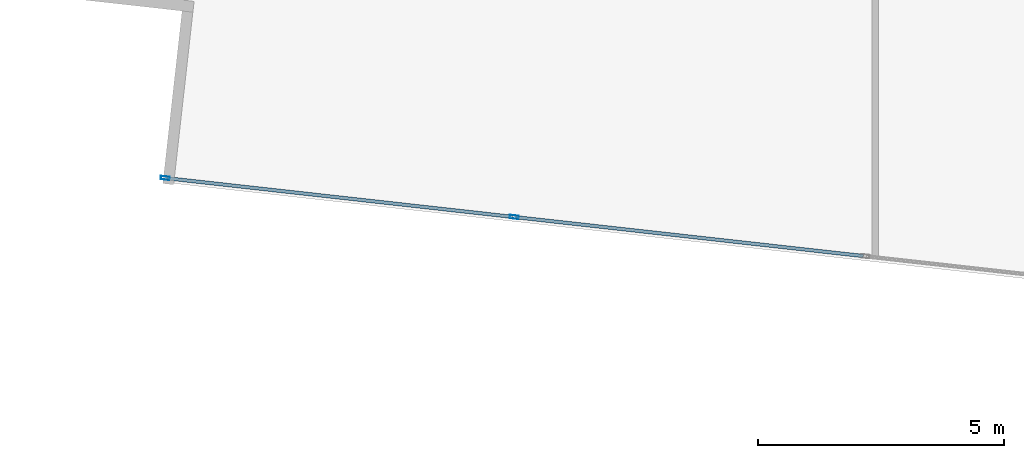
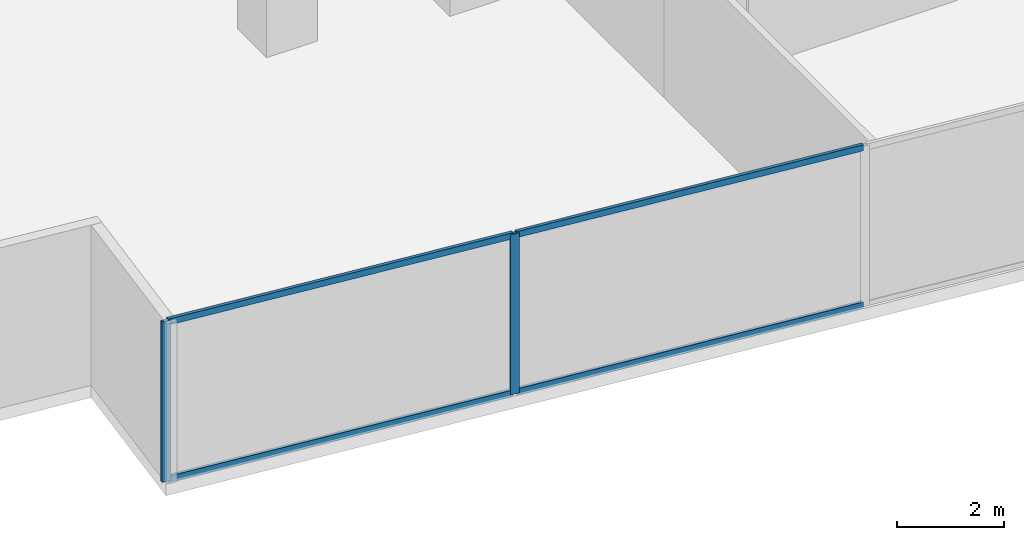
# One storey, part 2 of 29: 6 members, 1 element without a shape of its own.
"""IFC4 building model written with IfcOpenShell, lengths in metres."""

from ifc_helpers import new_model, si_unit, direction, frame, origin, origin_2d, place, context, subcontext, project, spatial, hollow_rectangle, extrude, source, transform, mapped, material, material_profile, profile_set, type_object, type_shapes, element, aggregate, save


model = new_model("IFC4")

# Units and contexts
model_context = context("Model", 3, precision=1e-05, world=origin(), true_north=direction((0.0, 1.0)))
body_context = subcontext(model_context, "Body", "Model", "MODEL_VIEW")
ifc_project = project(units=[si_unit("LENGTHUNIT", "METRE"), si_unit("AREAUNIT", "SQUARE_METRE"), si_unit("VOLUMEUNIT", "CUBIC_METRE"), si_unit("PLANEANGLEUNIT", "RADIAN"), si_unit("MASSUNIT", "GRAM", prefix="KILO")], contexts=[model_context])

# Site, building, storey
site_placement = place(None, origin())
site = spatial("IfcSite", under=ifc_project, at=site_placement, CompositionType="ELEMENT")
building_placement = place(site_placement, origin())
building = spatial("IfcBuilding", under=site, at=building_placement, Name="Krantzveldt Concourse Tower", CompositionType="ELEMENT")
storey_placement = place(building_placement, frame((0.0, 0.0, 60.550048828125)))
storey = spatial("IfcBuildingStorey", under=building, at=storey_placement, Name="L14", CompositionType="ELEMENT", Elevation=60.550048828125)

# Curtain wall, members
ifc_material = material(Name="Anodised aluminium 6063-T6", Category="aluminium")
curtain_wall_type = type_object("IfcCurtainWallType", Name="CW2", PredefinedType="USERDEFINED", material=ifc_material)
curtain_wall_placement = place(storey_placement, origin())
curtain_wall = element("IfcCurtainWall", 1, at=curtain_wall_placement, inside=storey, type_object=curtain_wall_type, Name="CW-L14-F04", ObjectType="UNITISED CURTAIN WALL", PredefinedType="USERDEFINED")
ifc_material_profile_1 = material_profile(ifc_material, hollow_rectangle(XDim=0.070068359375, YDim=0.179931640625, WallThickness=0.0048828125, at=origin_2d()), Name="Anodised aluminium 6063-T6", Category="aluminium")
ifc_profile_set_1 = profile_set([ifc_material_profile_1], Name="Anodised aluminium 6063-T6 - ALU-MULL 180x70x5")
member_type_1 = type_object("IfcMemberType", Name="CW-MUL-180", PredefinedType="MULLION", material=ifc_profile_set_1)
shared_shape_1 = source(origin(), body_context, "Body", "SweptSolid", [
    extrude(hollow_rectangle(XDim=0.070068359375, YDim=0.179931640625, WallThickness=0.0048828125, at=origin_2d()), origin(), (0.0, 0.0, 1.0), 3.669921875),
])
type_shapes(member_type_1, [shared_shape_1])
member_1_placement = place(storey_placement, frame((11.90185546875, 4.327392578125, 0.0), z_axis=(0.0, 0.0, 1.0), x_axis=(0.111035342863, 0.993816458223, 0.0)))
member_1 = element("IfcMember", 2, at=member_1_placement, type_object=member_type_1, Name="CW-Z12 mullion 1", PredefinedType="MULLION", context=body_context, shape_type="MappedRepresentation", body=[
    mapped(shared_shape_1, transform((0.0, 0.0, 0.0), x_axis=(1.0, 0.0, 0.0), y_axis=(0.0, 1.0, 0.0), z_axis=(0.0, 0.0, 1.0), scale=1.0)),
])
member_2_placement = place(storey_placement, frame((18.989501953125, 3.53564453125, 0.0), z_axis=(0.0, 0.0, 1.0), x_axis=(0.111035342863, 0.993816458223, 0.0)))
member_2 = element("IfcMember", 3, at=member_2_placement, type_object=member_type_1, Name="CW-Z12 mullion 2", PredefinedType="MULLION", context=body_context, shape_type="MappedRepresentation", body=[
    mapped(shared_shape_1, transform((0.0, 0.0, 0.0), x_axis=(1.0, 0.0, 0.0), y_axis=(0.0, 1.0, 0.0), z_axis=(0.0, 0.0, 1.0), scale=1.0)),
])
ifc_material_profile_2 = material_profile(ifc_material, hollow_rectangle(XDim=0.070068359375, YDim=0.139892578125, WallThickness=0.0048828125, at=origin_2d()), Name="Anodised aluminium 6063-T6", Category="aluminium")
ifc_profile_set_2 = profile_set([ifc_material_profile_2], Name="Anodised aluminium 6063-T6 - ALU-TRAN 140x70x5")
member_type_2 = type_object("IfcMemberType", Name="CW-TRN-150", PredefinedType="USERDEFINED", material=ifc_profile_set_2)
shared_shape_2 = source(origin(), body_context, "Body", "SweptSolid", [
    extrude(hollow_rectangle(XDim=0.070068359375, YDim=0.139892578125, WallThickness=0.0048828125, at=origin_2d()), origin(), (0.0, 0.0, 1.0), 7.0966796875),
])
member_3_placement = place(storey_placement, frame((19.024169921875, 3.53173828125, 0.034912109375), z_axis=(0.993814737088, -0.111050746722, 0.0), x_axis=(0.111050746722, 0.993814737088, 0.0)))
member_3 = element("IfcMember", 4, at=member_3_placement, type_object=member_type_2, Name="CW-Z12 transom 2.1", ObjectType="TRANSOM", PredefinedType="USERDEFINED", context=body_context, shape_type="MappedRepresentation", body=[
    mapped(shared_shape_2, transform((0.0, 0.0, 0.0), x_axis=(1.0, 0.0, 0.0), y_axis=(0.0, 1.0, 0.0), z_axis=(0.0, 0.0, 1.0), scale=1.0)),
])
member_4_placement = place(storey_placement, frame((19.024169921875, 3.53173828125, 3.635009765625), z_axis=(0.993814737088, -0.111050746722, 0.0), x_axis=(0.111050746722, 0.993814737088, 0.0)))
member_4 = element("IfcMember", 5, at=member_4_placement, type_object=member_type_2, Name="CW-Z12 transom 2.2", ObjectType="TRANSOM", PredefinedType="USERDEFINED", context=body_context, shape_type="MappedRepresentation", body=[
    mapped(shared_shape_2, transform((0.0, 0.0, 0.0), x_axis=(1.0, 0.0, 0.0), y_axis=(0.0, 1.0, 0.0), z_axis=(0.0, 0.0, 1.0), scale=1.0)),
])
shared_shape_3 = source(origin(), body_context, "Body", "SweptSolid", [
    extrude(hollow_rectangle(XDim=0.070068359375, YDim=0.139892578125, WallThickness=0.0048828125, at=origin_2d()), origin(), (0.0, 0.0, 1.0), 7.061767578125),
])
type_shapes(member_type_2, [shared_shape_2, shared_shape_3])
member_5_placement = place(storey_placement, frame((11.9365234375, 4.323486328125, 0.034912109375), z_axis=(0.993815243208, -0.111046217254, 0.0), x_axis=(0.111046217254, 0.993815243208, 0.0)))
member_5 = element("IfcMember", 6, at=member_5_placement, type_object=member_type_2, Name="CW-Z12 transom 1.1", ObjectType="TRANSOM", PredefinedType="USERDEFINED", context=body_context, shape_type="MappedRepresentation", body=[
    mapped(shared_shape_3, transform((0.0, 0.0, 0.0), x_axis=(1.0, 0.0, 0.0), y_axis=(0.0, 1.0, 0.0), z_axis=(0.0, 0.0, 1.0), scale=1.0)),
])
member_6_placement = place(storey_placement, frame((11.9365234375, 4.323486328125, 3.635009765625), z_axis=(0.993815243208, -0.111046217254, 0.0), x_axis=(0.111046217254, 0.993815243208, 0.0)))
member_6 = element("IfcMember", 7, at=member_6_placement, type_object=member_type_2, Name="CW-Z12 transom 1.2", ObjectType="TRANSOM", PredefinedType="USERDEFINED", context=body_context, shape_type="MappedRepresentation", body=[
    mapped(shared_shape_3, transform((0.0, 0.0, 0.0), x_axis=(1.0, 0.0, 0.0), y_axis=(0.0, 1.0, 0.0), z_axis=(0.0, 0.0, 1.0), scale=1.0)),
])
aggregate(curtain_wall, [member_1, member_2, member_5, member_6, member_3, member_4])

save(model, "model.ifc")
